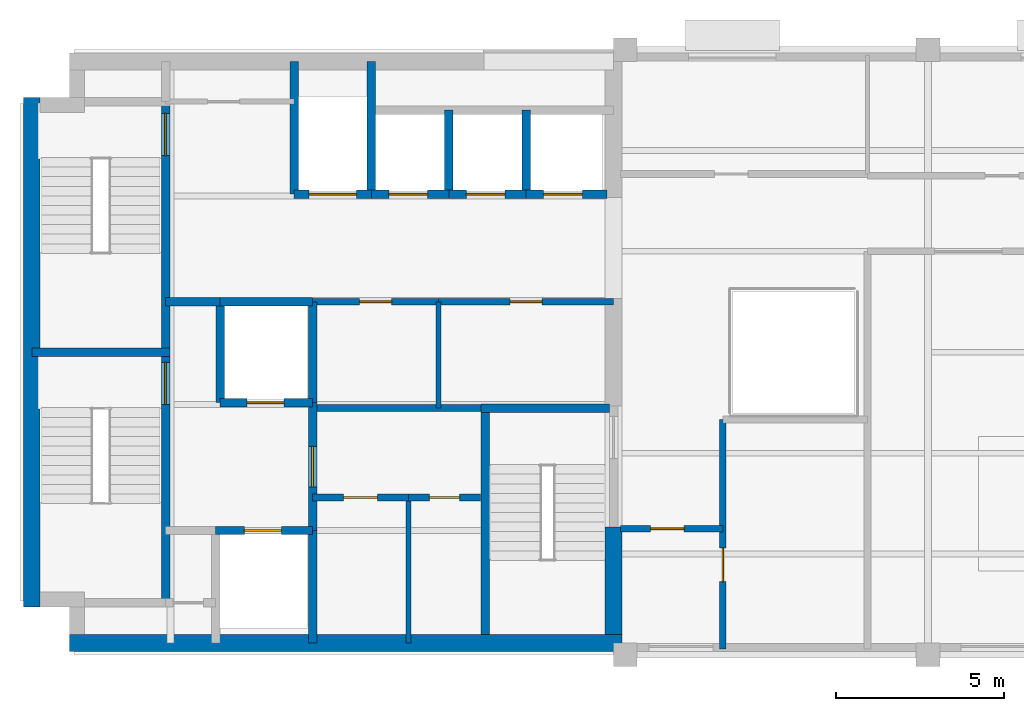
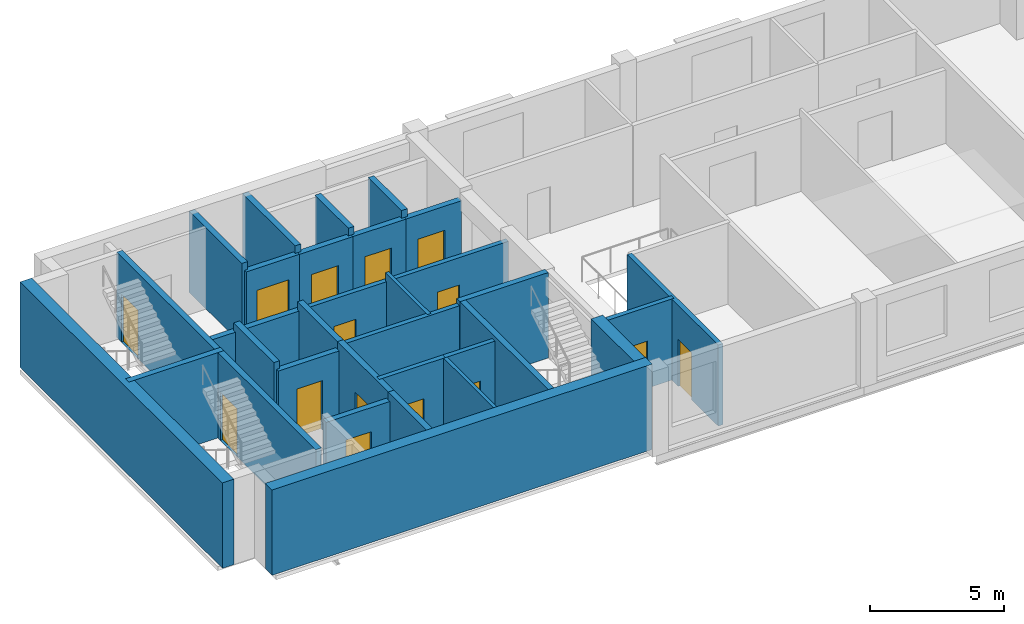
# One storey, part 2 of 5: 33 walls, 15 doors, 15 openings.
"""IFC4 building model written with IfcOpenShell, lengths in metres."""

from ifc_helpers import new_model, si_unit, direction, frame, frame_2d, origin, place, context, subcontext, project, spatial, rectangle, extrude, material, layer, layer_set, type_object, element, fill, save


model = new_model("IFC4")

# Units and contexts
model_context = context("Model", 3, precision=1e-05, world=origin(), true_north=direction((0.0, 1.0)))
body_context = subcontext(model_context, "Body", "Model", "MODEL_VIEW")
ifc_project = project(units=[si_unit("LENGTHUNIT", "METRE"), si_unit("AREAUNIT", "SQUARE_METRE"), si_unit("VOLUMEUNIT", "CUBIC_METRE"), si_unit("PLANEANGLEUNIT", "RADIAN"), si_unit("MASSUNIT", "GRAM", prefix="KILO")], contexts=[model_context])

# Site, building, storey
site_placement = place(None, origin())
site = spatial("IfcSite", under=ifc_project, at=site_placement, CompositionType="ELEMENT")
building_placement = place(site_placement, origin())
building = spatial("IfcBuilding", under=site, at=building_placement, Name="Mawjdan Bourse Tower", CompositionType="ELEMENT")
storey_placement = place(building_placement, frame((0.0, 0.0, 301.5)))
storey = spatial("IfcBuildingStorey", under=building, at=storey_placement, Name="L74", CompositionType="ELEMENT", Elevation=301.5)

# Wall, opening, door
ifc_material_1 = material(Name="Gypsum Fireboard Assembly")
ifc_layer_1 = layer(ifc_material_1, 0.199951171875)
ifc_layer_set_1 = layer_set([ifc_layer_1], Name="Gypsum Fireboard Assembly")
wall_type_1 = type_object("IfcWallType", Name="WL-CMP-200", PredefinedType="PARTITIONING", material=ifc_layer_set_1)
wall_1_placement = place(storey_placement, frame((14.699951171875, 7.679931640625, 0.0), z_axis=(0.0, 0.0, 1.0), x_axis=(1.0, 0.0, 0.0)))
wall_1 = element("IfcWall", 1, at=wall_1_placement, inside=storey, type_object=wall_type_1, Name="L74 Archive & Records Office North Wall", PredefinedType="PARTITIONING", context=body_context, shape_type="SweptSolid", body=[
    extrude(rectangle(XDim=2.85009765625, YDim=0.199951171875, at=frame_2d((1.425048828125, 0.0))), origin(), (0.0, 0.0, 1.0), 3.705078125),
])
opening_1_placement = place(wall_1_placement, frame((0.925048828125, 0.0, 0.0)))
opening_1 = element("IfcOpeningElement", 2, at=opening_1_placement, cuts=wall_1, Name="Opening D-L74-13", PredefinedType="OPENING", context=body_context, shape_type="SweptSolid", body=[
    extrude(rectangle(XDim=1.0, YDim=2.14990234375, at=frame_2d((0.5, 1.074951171875))), frame((0.0, 0.10986328125, 0.0), z_axis=(0.0, -1.0, 0.0), x_axis=(1.0, 0.0, 0.0)), (0.0, 0.0, 1.0), 0.219970703125),
])
ifc_material_2 = material(Name="Hardwood Acoustic Leaf", Category="wood")
door_type_1 = type_object("IfcDoorType", Name="DR-OFC-1000", OperationType="NOTDEFINED", PredefinedType="DOOR", material=ifc_material_2)
door_1_placement = place(opening_1_placement, origin())
door_1 = element("IfcDoor", 3, at=door_1_placement, inside=storey, type_object=door_type_1, Name="L74 Archive & Records Office Door D-L74-13", OperationType="SINGLE_SWING_LEFT", OverallHeight=2.14990234375, OverallWidth=1.0, PredefinedType="DOOR", context=body_context, shape_type="SweptSolid", body=[
    extrude(rectangle(XDim=1.0, YDim=2.14990234375, at=frame_2d((0.5, 1.074951171875))), frame((0.0, 0.02490234375, 0.0), z_axis=(0.0, -1.0, 0.0), x_axis=(1.0, 0.0, 0.0)), (0.0, 0.0, 1.0), 0.050048828125),
])
fill(opening_1, door_1)

wall_2_placement = place(storey_placement, frame((17.550048828125, 7.679931640625, 0.0), z_axis=(0.0, 0.0, 1.0), x_axis=(1.0, 0.0, 0.0)))
wall_2 = element("IfcWall", 4, at=wall_2_placement, inside=storey, type_object=wall_type_1, Name="L74 IT & Fiber Patch Room North Wall", PredefinedType="PARTITIONING", context=body_context, shape_type="SweptSolid", body=[
    extrude(rectangle(XDim=2.14990234375, YDim=0.199951171875, at=frame_2d((1.074951171875, 0.0))), origin(), (0.0, 0.0, 1.0), 3.705078125),
])
opening_2_placement = place(wall_2_placement, frame((0.625, 0.0, 0.0)))
opening_2 = element("IfcOpeningElement", 5, at=opening_2_placement, cuts=wall_2, Name="Opening D-L74-14", PredefinedType="OPENING", context=body_context, shape_type="SweptSolid", body=[
    extrude(rectangle(XDim=0.89990234375, YDim=2.10009765625, at=frame_2d((0.449951171875, 1.050048828125))), frame((0.0, 0.10986328125, 0.0), z_axis=(0.0, -1.0, 0.0), x_axis=(1.0, 0.0, 0.0)), (0.0, 0.0, 1.0), 0.219970703125),
])
ifc_material_3 = material(Name="Fire-Rated Steel Access Leaf", Category="steel")
door_type_2 = type_object("IfcDoorType", Name="FD-RSR-0900", OperationType="NOTDEFINED", PredefinedType="TRAPDOOR", material=ifc_material_3)
door_2_placement = place(opening_2_placement, origin())
door_2 = element("IfcDoor", 6, at=door_2_placement, inside=storey, type_object=door_type_2, Name="L74 IT & Fiber Patch Room Door D-L74-14", OperationType="SINGLE_SWING_RIGHT", OverallHeight=2.10009765625, OverallWidth=0.89990234375, PredefinedType="TRAPDOOR", context=body_context, shape_type="SweptSolid", body=[
    extrude(rectangle(XDim=0.89990234375, YDim=2.10009765625, at=frame_2d((0.449951171875, 1.050048828125))), frame((0.0, 0.02490234375, 0.0), z_axis=(0.0, -1.0, 0.0), x_axis=(1.0, 0.0, 0.0)), (0.0, 0.0, 1.0), 0.050048828125),
])
fill(opening_2, door_2)

# Wall
wall_3_placement = place(storey_placement, frame((14.824951171875, 10.340087890625, 0.0), z_axis=(0.0, 0.0, 1.0), x_axis=(1.0, 0.0, 0.0)))
element("IfcWall", 7, at=wall_3_placement, inside=storey, type_object=wall_type_1, Name="L74 Core Restroom Suite South Wall", PredefinedType="PARTITIONING", context=body_context, shape_type="SweptSolid", body=[
    extrude(rectangle(XDim=4.880126953125, YDim=0.199951171875, at=frame_2d((2.43994140625, 0.0))), origin(), (0.0, 0.0, 1.0), 3.705078125),
])

# Wall, opening, door
wall_4_placement = place(storey_placement, frame((14.699951171875, 13.5, 0.0), z_axis=(0.0, 0.0, 1.0), x_axis=(1.0, 0.0, 0.0)))
wall_4 = element("IfcWall", 8, at=wall_4_placement, inside=storey, type_object=wall_type_1, Name="L74 Accessible WC North Wall", PredefinedType="PARTITIONING", context=body_context, shape_type="SweptSolid", body=[
    extrude(rectangle(XDim=3.75, YDim=0.199951171875, at=frame_2d((1.875, 0.0))), origin(), (0.0, 0.0, 1.0), 3.35400390625),
])
opening_3_placement = place(wall_4_placement, frame((1.39990234375, 0.0, 0.0)))
opening_3 = element("IfcOpeningElement", 9, at=opening_3_placement, cuts=wall_4, Name="Opening D-L74-15", PredefinedType="OPENING", context=body_context, shape_type="SweptSolid", body=[
    extrude(rectangle(XDim=0.949951171875, YDim=2.10009765625, at=frame_2d((0.47509765625, 1.050048828125))), frame((0.0, 0.10986328125, 0.0), z_axis=(0.0, -1.0, 0.0), x_axis=(1.0, 0.0, 0.0)), (0.0, 0.0, 1.0), 0.219970703125),
])
ifc_material_4 = material(Name="Moisture-Resistant Laminate Timber", Category="wood")
door_type_3 = type_object("IfcDoorType", Name="DR-WET-0950", OperationType="NOTDEFINED", PredefinedType="DOOR", material=ifc_material_4)
door_3_placement = place(opening_3_placement, origin())
door_3 = element("IfcDoor", 10, at=door_3_placement, inside=storey, type_object=door_type_3, Name="L74 Accessible WC Door D-L74-15", OperationType="SINGLE_SWING_LEFT", OverallHeight=2.10009765625, OverallWidth=0.949951171875, PredefinedType="DOOR", context=body_context, shape_type="SweptSolid", body=[
    extrude(rectangle(XDim=0.949951171875, YDim=2.10009765625, at=frame_2d((0.47509765625, 1.050048828125))), frame((0.0, 0.02490234375, 0.0), z_axis=(0.0, -1.0, 0.0), x_axis=(1.0, 0.0, 0.0)), (0.0, 0.0, 1.0), 0.050048828125),
])
fill(opening_3, door_3)

wall_5_placement = place(storey_placement, frame((18.449951171875, 13.5, 0.0), z_axis=(0.0, 0.0, 1.0), x_axis=(1.0, 0.0, 0.0)))
wall_5 = element("IfcWall", 11, at=wall_5_placement, inside=storey, type_object=wall_type_1, Name="L74 Unisex Restroom Suite North Wall", PredefinedType="PARTITIONING", context=body_context, shape_type="SweptSolid", body=[
    extrude(rectangle(XDim=5.199951171875, YDim=0.199951171875, at=frame_2d((2.60009765625, 0.0))), origin(), (0.0, 0.0, 1.0), 3.35400390625),
])
opening_4_placement = place(wall_5_placement, frame((2.125, 0.0, 0.0)))
opening_4 = element("IfcOpeningElement", 12, at=opening_4_placement, cuts=wall_5, Name="Opening D-L74-16", PredefinedType="OPENING", context=body_context, shape_type="SweptSolid", body=[
    extrude(rectangle(XDim=0.949951171875, YDim=2.10009765625, at=frame_2d((0.47509765625, 1.050048828125))), frame((0.0, 0.10986328125, 0.0), z_axis=(0.0, -1.0, 0.0), x_axis=(1.0, 0.0, 0.0)), (0.0, 0.0, 1.0), 0.219970703125),
])
door_4_placement = place(opening_4_placement, origin())
door_4 = element("IfcDoor", 13, at=door_4_placement, inside=storey, type_object=door_type_3, Name="L74 Unisex Restroom Suite Door D-L74-16", OperationType="SINGLE_SWING_RIGHT", OverallHeight=2.10009765625, OverallWidth=0.949951171875, PredefinedType="DOOR", context=body_context, shape_type="SweptSolid", body=[
    extrude(rectangle(XDim=0.949951171875, YDim=2.10009765625, at=frame_2d((0.47509765625, 1.050048828125))), frame((0.0, 0.02490234375, 0.0), z_axis=(0.0, -1.0, 0.0), x_axis=(1.0, 0.0, 0.0)), (0.0, 0.0, 1.0), 0.050048828125),
])
fill(opening_4, door_4)

wall_6_placement = place(storey_placement, frame((23.85009765625, 6.75, 0.0), z_axis=(0.0, 0.0, 1.0), x_axis=(1.0, 0.0, 0.0)))
wall_6 = element("IfcWall", 14, at=wall_6_placement, inside=storey, type_object=wall_type_1, Name="L74 Summit SW Study North Wall", PredefinedType="PARTITIONING", context=body_context, shape_type="SweptSolid", body=[
    extrude(rectangle(XDim=3.0498046875, YDim=0.199951171875, at=frame_2d((1.52490234375, 0.0))), origin(), (0.0, 0.0, 1.0), 3.705078125),
])
opening_5_placement = place(wall_6_placement, frame((0.89990234375, 0.0, 0.0)))
opening_5 = element("IfcOpeningElement", 15, at=opening_5_placement, cuts=wall_6, Name="Opening D-L74-18", PredefinedType="OPENING", context=body_context, shape_type="SweptSolid", body=[
    extrude(rectangle(XDim=1.0, YDim=2.14990234375, at=frame_2d((0.5, 1.074951171875))), frame((0.0, 0.10986328125, 0.0), z_axis=(0.0, -1.0, 0.0), x_axis=(1.0, 0.0, 0.0)), (0.0, 0.0, 1.0), 0.219970703125),
])
door_5_placement = place(opening_5_placement, origin())
door_5 = element("IfcDoor", 16, at=door_5_placement, inside=storey, type_object=door_type_1, Name="L74 Summit SW Study Door D-L74-18", OperationType="SINGLE_SWING_RIGHT", OverallHeight=2.14990234375, OverallWidth=1.0, PredefinedType="DOOR", context=body_context, shape_type="SweptSolid", body=[
    extrude(rectangle(XDim=1.0, YDim=2.14990234375, at=frame_2d((0.5, 1.074951171875))), frame((0.0, 0.02490234375, 0.0), z_axis=(0.0, -1.0, 0.0), x_axis=(1.0, 0.0, 0.0)), (0.0, 0.0, 1.0), 0.050048828125),
])
fill(opening_5, door_5)

wall_7_placement = place(storey_placement, frame((26.89990234375, 3.179931640625, 0.0), z_axis=(0.0, 0.0, 1.0), x_axis=(0.0, 1.0, 0.0)))
wall_7 = element("IfcWall", 17, at=wall_7_placement, inside=storey, type_object=wall_type_1, Name="L74 Summit South Atrium Suite West Wall", PredefinedType="PARTITIONING", context=body_context, shape_type="SweptSolid", body=[
    extrude(rectangle(XDim=6.820068359375, YDim=0.199951171875, at=frame_2d((3.41015625, 0.0))), origin(), (0.0, 0.0, 1.0), 3.705078125),
])
opening_6_placement = place(wall_7_placement, frame((2.0, 0.0, 0.0)))
opening_6 = element("IfcOpeningElement", 18, at=opening_6_placement, cuts=wall_7, Name="Opening D-L74-19", PredefinedType="OPENING", context=body_context, shape_type="SweptSolid", body=[
    extrude(rectangle(XDim=1.0, YDim=2.14990234375, at=frame_2d((0.5, 1.074951171875))), frame((0.0, 0.10986328125, 0.0), z_axis=(0.0, -1.0, 0.0), x_axis=(1.0, 0.0, 0.0)), (0.0, 0.0, 1.0), 0.219970703125),
])
door_6_placement = place(opening_6_placement, origin())
door_6 = element("IfcDoor", 19, at=door_6_placement, inside=storey, type_object=door_type_1, Name="L74 Summit South Atrium Suite Door D-L74-19", OperationType="SINGLE_SWING_LEFT", OverallHeight=2.14990234375, OverallWidth=1.0, PredefinedType="DOOR", context=body_context, shape_type="SweptSolid", body=[
    extrude(rectangle(XDim=1.0, YDim=2.14990234375, at=frame_2d((0.5, 1.074951171875))), frame((0.0, 0.02490234375, 0.0), z_axis=(0.0, -1.0, 0.0), x_axis=(1.0, 0.0, 0.0)), (0.0, 0.0, 1.0), 0.050048828125),
])
fill(opening_6, door_6)

# Walls
ifc_material_5 = material(Name="Concrete C60/75", Category="concrete")
ifc_layer_2 = layer(ifc_material_5, 0.5)
ifc_layer_set_2 = layer_set([ifc_layer_2], Name="Concrete C60/75")
wall_type_2 = type_object("IfcWallType", Name="WL-CORE-500", PredefinedType="SHEAR", material=ifc_layer_set_2)
wall_8_placement = place(storey_placement, frame((7.47509765625, 3.35009765625, 0.0), z_axis=(0.0, 0.0, 1.0), x_axis=(1.0, 0.0, 0.0)))
element("IfcWall", 20, at=wall_8_placement, inside=storey, type_object=wall_type_2, Name="L74 Rear Core Shear Wall S", PredefinedType="SHEAR", context=body_context, shape_type="SweptSolid", body=[
    extrude(rectangle(XDim=16.4248046875, YDim=0.5, at=frame_2d((8.21240234375, 0.0))), origin(), (0.0, 0.0, 1.0), 3.89990234375),
])
wall_9_placement = place(storey_placement, frame((6.35009765625, 4.425048828125, 0.0), z_axis=(0.0, 0.0, 1.0), x_axis=(0.0, 1.0, 0.0)))
element("IfcWall", 21, at=wall_9_placement, inside=storey, type_object=wall_type_2, Name="L74 Rear Core Shear Wall W", PredefinedType="SHEAR", context=body_context, shape_type="SweptSolid", body=[
    extrude(rectangle(XDim=15.14990234375, YDim=0.5, at=frame_2d((7.574951171875, 0.0))), origin(), (0.0, 0.0, 1.0), 3.89990234375),
])
wall_10_placement = place(storey_placement, frame((23.64990234375, 3.60009765625, 0.0), z_axis=(0.0, 0.0, 1.0), x_axis=(0.0, 1.0, 0.0)))
element("IfcWall", 22, at=wall_10_placement, inside=storey, type_object=wall_type_2, Name="L74 Rear Core Shear Wall E1", PredefinedType="SHEAR", context=body_context, shape_type="SweptSolid", body=[
    extrude(rectangle(XDim=3.199951171875, YDim=0.5, at=frame_2d((1.60009765625, 0.0))), origin(), (0.0, 0.0, 1.0), 3.89990234375),
])
ifc_material_6 = material(Name="Gypsum Acoustic Partition")
ifc_layer_3 = layer(ifc_material_6, 0.14990234375)
ifc_layer_set_3 = layer_set([ifc_layer_3], Name="Gypsum Acoustic Partition")
wall_type_3 = type_object("IfcWallType", Name="WL-PRT-150", PredefinedType="PARTITIONING", material=ifc_layer_set_3)
wall_11_placement = place(storey_placement, frame((17.550048828125, 3.35009765625, 0.0), z_axis=(0.0, 0.0, 1.0), x_axis=(0.0, 1.0, 0.0)))
element("IfcWall", 23, at=wall_11_placement, inside=storey, type_object=wall_type_3, Name="L74 IT & Fiber Patch Room Core Split Wall", PredefinedType="PARTITIONING", context=body_context, shape_type="SweptSolid", body=[
    extrude(rectangle(XDim=4.329833984375, YDim=0.14990234375, at=frame_2d((2.1650390625, 0.0))), origin(), (0.0, 0.0, 1.0), 3.705078125),
])
wall_12_placement = place(storey_placement, frame((18.449951171875, 10.340087890625, 0.0), z_axis=(0.0, 0.0, 1.0), x_axis=(0.0, 1.0, 0.0)))
element("IfcWall", 24, at=wall_12_placement, inside=storey, type_object=wall_type_3, Name="L74 Unisex Restroom Suite Split Wall", PredefinedType="PARTITIONING", context=body_context, shape_type="SweptSolid", body=[
    extrude(rectangle(XDim=3.159912109375, YDim=0.14990234375, at=frame_2d((1.580078125, 0.0))), origin(), (0.0, 0.0, 1.0), 3.705078125),
])

# Wall, opening, door
ifc_material_7 = material(Name="Concrete C50/60", Category="concrete")
ifc_layer_4 = layer(ifc_material_7, 0.25)
ifc_layer_set_4 = layer_set([ifc_layer_4], Name="Concrete C50/60")
wall_type_4 = type_object("IfcWallType", Name="WL-SHFT-250", PredefinedType="PARTITIONING", material=ifc_layer_set_4)
wall_13_placement = place(storey_placement, frame((11.820068359375, 6.699951171875, 0.0), z_axis=(0.0, 0.0, 1.0), x_axis=(1.0, 0.0, 0.0)))
wall_13 = element("IfcWall", 25, at=wall_13_placement, inside=storey, type_object=wall_type_4, Name="L74 FFL-01 Front Shaft Wall", PredefinedType="PARTITIONING", context=body_context, shape_type="SweptSolid", body=[
    extrude(rectangle(XDim=2.8798828125, YDim=0.25, at=frame_2d((1.43994140625, 0.0))), origin(), (0.0, 0.0, 1.0), 3.35400390625),
])
opening_7_placement = place(wall_13_placement, frame((0.85009765625, 0.0, 0.0)))
opening_7 = element("IfcOpeningElement", 26, at=opening_7_placement, cuts=wall_13, Name="Opening LD-L74-05", PredefinedType="OPENING", context=body_context, shape_type="SweptSolid", body=[
    extrude(rectangle(XDim=1.10009765625, YDim=2.25, at=frame_2d((0.550048828125, 1.125))), frame((0.0, 0.135009765625, 0.0), z_axis=(0.0, -1.0, 0.0), x_axis=(1.0, 0.0, 0.0)), (0.0, 0.0, 1.0), 0.27001953125),
])
ifc_material_8 = material(Name="Brushed Stainless Steel", Category="steel")
door_type_4 = type_object("IfcDoorType", Name="LD-FFL-1100", OperationType="DOUBLE_DOOR_SLIDING", PredefinedType="DOOR", material=ifc_material_8)
door_7_placement = place(opening_7_placement, origin())
door_7 = element("IfcDoor", 27, at=door_7_placement, inside=storey, type_object=door_type_4, Name="L74 Firefighting Lift FFL-01 Landing Door LD-L74-05", OperationType="DOUBLE_DOOR_SLIDING", OverallHeight=2.25, OverallWidth=1.10009765625, PredefinedType="DOOR", context=body_context, shape_type="SweptSolid", body=[
    extrude(rectangle(XDim=1.10009765625, YDim=2.25, at=frame_2d((0.550048828125, 1.125))), frame((0.0, 0.02490234375, 0.0), z_axis=(0.0, -1.0, 0.0), x_axis=(1.0, 0.0, 0.0)), (0.0, 0.0, 1.0), 0.050048828125),
])
fill(opening_7, door_7)

# Wall
wall_14_placement = place(storey_placement, frame((14.699951171875, 3.35009765625, 0.0), z_axis=(0.0, 0.0, 1.0), x_axis=(0.0, 1.0, 0.0)))
element("IfcWall", 28, at=wall_14_placement, inside=storey, type_object=wall_type_4, Name="L74 FFL-01 East Shaft Wall", PredefinedType="PARTITIONING", context=body_context, shape_type="SweptSolid", body=[
    extrude(rectangle(XDim=3.349853515625, YDim=0.25, at=frame_2d((1.6748046875, 0.0))), origin(), (0.0, 0.0, 1.0), 3.705078125),
])

# Wall, opening, door
wall_15_placement = place(storey_placement, frame((11.949951171875, 10.5, 0.0), z_axis=(0.0, 0.0, 1.0), x_axis=(1.0, 0.0, 0.0)))
wall_15 = element("IfcWall", 29, at=wall_15_placement, inside=storey, type_object=wall_type_4, Name="L74 FFL-02 Front Shaft Wall", PredefinedType="PARTITIONING", context=body_context, shape_type="SweptSolid", body=[
    extrude(rectangle(XDim=2.75, YDim=0.25, at=frame_2d((1.375, 0.0))), origin(), (0.0, 0.0, 1.0), 3.35400390625),
])
opening_8_placement = place(wall_15_placement, frame((0.800048828125, 0.0, 0.0)))
opening_8 = element("IfcOpeningElement", 30, at=opening_8_placement, cuts=wall_15, Name="Opening LD-L74-06", PredefinedType="OPENING", context=body_context, shape_type="SweptSolid", body=[
    extrude(rectangle(XDim=1.10009765625, YDim=2.25, at=frame_2d((0.550048828125, 1.125))), frame((0.0, 0.135009765625, 0.0), z_axis=(0.0, -1.0, 0.0), x_axis=(1.0, 0.0, 0.0)), (0.0, 0.0, 1.0), 0.27001953125),
])
door_8_placement = place(opening_8_placement, origin())
door_8 = element("IfcDoor", 31, at=door_8_placement, inside=storey, type_object=door_type_4, Name="L74 Firefighting Lift FFL-02 Landing Door LD-L74-06", OperationType="DOUBLE_DOOR_SLIDING", OverallHeight=2.25, OverallWidth=1.10009765625, PredefinedType="DOOR", context=body_context, shape_type="SweptSolid", body=[
    extrude(rectangle(XDim=1.10009765625, YDim=2.25, at=frame_2d((0.550048828125, 1.125))), frame((0.0, 0.02490234375, 0.0), z_axis=(0.0, -1.0, 0.0), x_axis=(1.0, 0.0, 0.0)), (0.0, 0.0, 1.0), 0.050048828125),
])
fill(opening_8, door_8)

# Walls
wall_16_placement = place(storey_placement, frame((11.949951171875, 10.5, 0.0), z_axis=(0.0, 0.0, 1.0), x_axis=(0.0, 1.0, 0.0)))
element("IfcWall", 32, at=wall_16_placement, inside=storey, type_object=wall_type_4, Name="L74 FFL-02 West Shaft Wall", PredefinedType="PARTITIONING", context=body_context, shape_type="SweptSolid", body=[
    extrude(rectangle(XDim=3.0, YDim=0.25, at=frame_2d((1.5, 0.0))), origin(), (0.0, 0.0, 1.0), 3.705078125),
])
wall_17_placement = place(storey_placement, frame((11.949951171875, 13.5, 0.0), z_axis=(0.0, 0.0, 1.0), x_axis=(1.0, 0.0, 0.0)))
element("IfcWall", 33, at=wall_17_placement, inside=storey, type_object=wall_type_4, Name="L74 FFL-02 North Shaft Wall", PredefinedType="PARTITIONING", context=body_context, shape_type="SweptSolid", body=[
    extrude(rectangle(XDim=2.75, YDim=0.25, at=frame_2d((1.375, 0.0))), origin(), (0.0, 0.0, 1.0), 3.35400390625),
])
wall_18_placement = place(storey_placement, frame((14.699951171875, 10.5, 0.0), z_axis=(0.0, 0.0, 1.0), x_axis=(0.0, 1.0, 0.0)))
element("IfcWall", 34, at=wall_18_placement, inside=storey, type_object=wall_type_4, Name="L74 FFL-02 East Shaft Wall", PredefinedType="PARTITIONING", context=body_context, shape_type="SweptSolid", body=[
    extrude(rectangle(XDim=3.0, YDim=0.25, at=frame_2d((1.5, 0.0))), origin(), (0.0, 0.0, 1.0), 3.705078125),
])

# Wall, opening, door
wall_19_placement = place(storey_placement, frame((14.699951171875, 6.699951171875, 0.0), z_axis=(0.0, 0.0, 1.0), x_axis=(0.0, 1.0, 0.0)))
wall_19 = element("IfcWall", 35, at=wall_19_placement, inside=storey, type_object=wall_type_4, Name="L74 Firefighting Lobby East Compartment Wall", PredefinedType="PARTITIONING", context=body_context, shape_type="SweptSolid", body=[
    extrude(rectangle(XDim=3.800048828125, YDim=0.25, at=frame_2d((1.89990234375, 0.0))), origin(), (0.0, 0.0, 1.0), 3.705078125),
])
opening_9_placement = place(wall_19_placement, frame((1.300048828125, 0.0, 0.0)))
opening_9 = element("IfcOpeningElement", 36, at=opening_9_placement, cuts=wall_19, Name="Opening FD-L74-07", PredefinedType="OPENING", context=body_context, shape_type="SweptSolid", body=[
    extrude(rectangle(XDim=1.199951171875, YDim=2.199951171875, at=frame_2d((0.60009765625, 1.10009765625))), frame((0.0, 0.135009765625, 0.0), z_axis=(0.0, -1.0, 0.0), x_axis=(1.0, 0.0, 0.0)), (0.0, 0.0, 1.0), 0.27001953125),
])
ifc_material_9 = material(Name="Fire-Rated Steel Leaf", Category="steel")
door_type_5 = type_object("IfcDoorType", Name="FD-FFL-1200", OperationType="NOTDEFINED", PredefinedType="DOOR", material=ifc_material_9)
door_9_placement = place(opening_9_placement, origin())
door_9 = element("IfcDoor", 37, at=door_9_placement, inside=storey, type_object=door_type_5, Name="L74 Firefighting Lobby East Smoke Door FD-L74-07", OperationType="SINGLE_SWING_LEFT", OverallHeight=2.199951171875, OverallWidth=1.199951171875, PredefinedType="DOOR", context=body_context, shape_type="SweptSolid", body=[
    extrude(rectangle(XDim=1.199951171875, YDim=2.199951171875, at=frame_2d((0.60009765625, 1.10009765625))), frame((0.0, 0.02490234375, 0.0), z_axis=(0.0, -1.0, 0.0), x_axis=(1.0, 0.0, 0.0)), (0.0, 0.0, 1.0), 0.050048828125),
])
fill(opening_9, door_9)

# Wall
wall_20_placement = place(storey_placement, frame((10.330078125, 13.5, 0.0), z_axis=(0.0, 0.0, 1.0), x_axis=(1.0, 0.0, 0.0)))
element("IfcWall", 38, at=wall_20_placement, inside=storey, type_object=wall_type_4, Name="L74 Firefighting Lobby North Compartment Wall", PredefinedType="PARTITIONING", context=body_context, shape_type="SweptSolid", body=[
    extrude(rectangle(XDim=1.619873046875, YDim=0.25, at=frame_2d((0.81005859375, 0.0))), origin(), (0.0, 0.0, 1.0), 3.35400390625),
])

# Wall, opening, door
wall_21_placement = place(storey_placement, frame((14.14990234375, 16.699951171875, 0.0), z_axis=(0.0, 0.0, 1.0), x_axis=(1.0, 0.0, 0.0)))
wall_21 = element("IfcWall", 39, at=wall_21_placement, inside=storey, type_object=wall_type_4, Name="L74 SVL-01 Front Shaft Wall", PredefinedType="PARTITIONING", context=body_context, shape_type="SweptSolid", body=[
    extrude(rectangle(XDim=2.300048828125, YDim=0.25, at=frame_2d((1.14990234375, 0.0))), origin(), (0.0, 0.0, 1.0), 3.35400390625),
])
opening_10_placement = place(wall_21_placement, frame((0.449951171875, 0.0, 0.0)))
opening_10 = element("IfcOpeningElement", 40, at=opening_10_placement, cuts=wall_21, Name="Opening LD-L74-09", PredefinedType="OPENING", context=body_context, shape_type="SweptSolid", body=[
    extrude(rectangle(XDim=1.39990234375, YDim=2.35009765625, at=frame_2d((0.699951171875, 1.175048828125))), frame((0.0, 0.135009765625, 0.0), z_axis=(0.0, -1.0, 0.0), x_axis=(1.0, 0.0, 0.0)), (0.0, 0.0, 1.0), 0.27001953125),
])
ifc_material_10 = material(Name="Heavy-Duty Stainless Steel", Category="steel")
door_type_6 = type_object("IfcDoorType", Name="LD-SRV-1400", OperationType="DOUBLE_DOOR_SLIDING", PredefinedType="DOOR", material=ifc_material_10)
door_10_placement = place(opening_10_placement, origin())
door_10 = element("IfcDoor", 41, at=door_10_placement, inside=storey, type_object=door_type_6, Name="L74 Service Lift SVL-01 Landing Door LD-L74-09", OperationType="DOUBLE_DOOR_SLIDING", OverallHeight=2.35009765625, OverallWidth=1.39990234375, PredefinedType="DOOR", context=body_context, shape_type="SweptSolid", body=[
    extrude(rectangle(XDim=1.39990234375, YDim=2.35009765625, at=frame_2d((0.699951171875, 1.175048828125))), frame((0.0, 0.02490234375, 0.0), z_axis=(0.0, -1.0, 0.0), x_axis=(1.0, 0.0, 0.0)), (0.0, 0.0, 1.0), 0.050048828125),
])
fill(opening_10, door_10)

# Walls
for number, where, z_axis, x_axis, name in (
    (42, (14.14990234375, 16.699951171875, 0.0), (0.0, 0.0, 1.0), (0.0, 1.0, 0.0), "L74 SVL-01 West Shaft Wall"),
    (43, (16.449951171875, 16.699951171875, 0.0), (0.0, 0.0, 1.0), (0.0, 1.0, 0.0), "L74 SVL-01 East Shaft Wall"),
):
    element("IfcWall", number, at=place(storey_placement, frame(where, z_axis=z_axis, x_axis=x_axis)), inside=storey, type_object=wall_type_4, Name=name, PredefinedType="PARTITIONING", context=body_context, shape_type="SweptSolid", body=[
        extrude(rectangle(XDim=3.949951171875, YDim=0.25, at=frame_2d((1.97509765625, 0.0))), origin(), (0.0, 0.0, 1.0), 3.705078125),
    ])

# Wall, opening, door
wall_22_placement = place(storey_placement, frame((16.449951171875, 16.699951171875, 0.0), z_axis=(0.0, 0.0, 1.0), x_axis=(1.0, 0.0, 0.0)))
wall_22 = element("IfcWall", 44, at=wall_22_placement, inside=storey, type_object=wall_type_4, Name="L74 PH-01 Front Wall", PredefinedType="PARTITIONING", context=body_context, shape_type="SweptSolid", body=[
    extrude(rectangle(XDim=2.300048828125, YDim=0.25, at=frame_2d((1.14990234375, 0.0))), origin(), (0.0, 0.0, 1.0), 3.35400390625),
])
opening_11_placement = place(wall_22_placement, frame((0.52001953125, 0.0, 0.0)))
opening_11 = element("IfcOpeningElement", 45, at=opening_11_placement, cuts=wall_22, Name="Opening LD-L74-10", PredefinedType="OPENING", context=body_context, shape_type="SweptSolid", body=[
    extrude(rectangle(XDim=1.14990234375, YDim=2.25, at=frame_2d((0.574951171875, 1.125))), frame((0.0, 0.135009765625, 0.0), z_axis=(0.0, -1.0, 0.0), x_axis=(1.0, 0.0, 0.0)), (0.0, 0.0, 1.0), 0.27001953125),
])
door_type_7 = type_object("IfcDoorType", Name="LD-PAS-1150", OperationType="DOUBLE_DOOR_SLIDING", PredefinedType="DOOR", material=ifc_material_8)
door_11_placement = place(opening_11_placement, origin())
door_11 = element("IfcDoor", 46, at=door_11_placement, inside=storey, type_object=door_type_7, Name="L74 Lift PH-01 Landing Door LD-L74-10", OperationType="DOUBLE_DOOR_SLIDING", OverallHeight=2.25, OverallWidth=1.14990234375, PredefinedType="DOOR", context=body_context, shape_type="SweptSolid", body=[
    extrude(rectangle(XDim=1.14990234375, YDim=2.25, at=frame_2d((0.574951171875, 1.125))), frame((0.0, 0.02490234375, 0.0), z_axis=(0.0, -1.0, 0.0), x_axis=(1.0, 0.0, 0.0)), (0.0, 0.0, 1.0), 0.050048828125),
])
fill(opening_11, door_11)

# Wall
wall_23_placement = place(storey_placement, frame((18.75, 16.699951171875, 0.0), z_axis=(0.0, 0.0, 1.0), x_axis=(0.0, 1.0, 0.0)))
element("IfcWall", 47, at=wall_23_placement, inside=storey, type_object=wall_type_4, Name="L74 PH-01 Divider Wall", PredefinedType="PARTITIONING", context=body_context, shape_type="SweptSolid", body=[
    extrude(rectangle(XDim=2.5, YDim=0.25, at=frame_2d((1.25, 0.0))), origin(), (0.0, 0.0, 1.0), 3.705078125),
])

# Wall, opening, door
wall_24_placement = place(storey_placement, frame((18.75, 16.699951171875, 0.0), z_axis=(0.0, 0.0, 1.0), x_axis=(1.0, 0.0, 0.0)))
wall_24 = element("IfcWall", 48, at=wall_24_placement, inside=storey, type_object=wall_type_4, Name="L74 PH-02 Front Wall", PredefinedType="PARTITIONING", context=body_context, shape_type="SweptSolid", body=[
    extrude(rectangle(XDim=2.300048828125, YDim=0.25, at=frame_2d((1.14990234375, 0.0))), origin(), (0.0, 0.0, 1.0), 3.35400390625),
])
opening_12_placement = place(wall_24_placement, frame((0.52001953125, 0.0, 0.0)))
opening_12 = element("IfcOpeningElement", 49, at=opening_12_placement, cuts=wall_24, Name="Opening LD-L74-11", PredefinedType="OPENING", context=body_context, shape_type="SweptSolid", body=[
    extrude(rectangle(XDim=1.14990234375, YDim=2.25, at=frame_2d((0.574951171875, 1.125))), frame((0.0, 0.135009765625, 0.0), z_axis=(0.0, -1.0, 0.0), x_axis=(1.0, 0.0, 0.0)), (0.0, 0.0, 1.0), 0.27001953125),
])
door_12_placement = place(opening_12_placement, origin())
door_12 = element("IfcDoor", 50, at=door_12_placement, inside=storey, type_object=door_type_7, Name="L74 Lift PH-02 Landing Door LD-L74-11", OperationType="DOUBLE_DOOR_SLIDING", OverallHeight=2.25, OverallWidth=1.14990234375, PredefinedType="DOOR", context=body_context, shape_type="SweptSolid", body=[
    extrude(rectangle(XDim=1.14990234375, YDim=2.25, at=frame_2d((0.574951171875, 1.125))), frame((0.0, 0.02490234375, 0.0), z_axis=(0.0, -1.0, 0.0), x_axis=(1.0, 0.0, 0.0)), (0.0, 0.0, 1.0), 0.050048828125),
])
fill(opening_12, door_12)

# Wall
wall_25_placement = place(storey_placement, frame((21.050048828125, 16.699951171875, 0.0), z_axis=(0.0, 0.0, 1.0), x_axis=(0.0, 1.0, 0.0)))
element("IfcWall", 51, at=wall_25_placement, inside=storey, type_object=wall_type_4, Name="L74 PH-02 Divider Wall", PredefinedType="PARTITIONING", context=body_context, shape_type="SweptSolid", body=[
    extrude(rectangle(XDim=2.5, YDim=0.25, at=frame_2d((1.25, 0.0))), origin(), (0.0, 0.0, 1.0), 3.705078125),
])

# Wall, opening, door
wall_26_placement = place(storey_placement, frame((21.050048828125, 16.699951171875, 0.0), z_axis=(0.0, 0.0, 1.0), x_axis=(1.0, 0.0, 0.0)))
wall_26 = element("IfcWall", 52, at=wall_26_placement, inside=storey, type_object=wall_type_4, Name="L74 PH-03 Front Wall", PredefinedType="PARTITIONING", context=body_context, shape_type="SweptSolid", body=[
    extrude(rectangle(XDim=2.39990234375, YDim=0.25, at=frame_2d((1.199951171875, 0.0))), origin(), (0.0, 0.0, 1.0), 3.35400390625),
])
opening_13_placement = place(wall_26_placement, frame((0.52001953125, 0.0, 0.0)))
opening_13 = element("IfcOpeningElement", 53, at=opening_13_placement, cuts=wall_26, Name="Opening LD-L74-12", PredefinedType="OPENING", context=body_context, shape_type="SweptSolid", body=[
    extrude(rectangle(XDim=1.14990234375, YDim=2.25, at=frame_2d((0.574951171875, 1.125))), frame((0.0, 0.135009765625, 0.0), z_axis=(0.0, -1.0, 0.0), x_axis=(1.0, 0.0, 0.0)), (0.0, 0.0, 1.0), 0.27001953125),
])
door_13_placement = place(opening_13_placement, origin())
door_13 = element("IfcDoor", 54, at=door_13_placement, inside=storey, type_object=door_type_7, Name="L74 Lift PH-03 Landing Door LD-L74-12", OperationType="DOUBLE_DOOR_SLIDING", OverallHeight=2.25, OverallWidth=1.14990234375, PredefinedType="DOOR", context=body_context, shape_type="SweptSolid", body=[
    extrude(rectangle(XDim=1.14990234375, YDim=2.25, at=frame_2d((0.574951171875, 1.125))), frame((0.0, 0.02490234375, 0.0), z_axis=(0.0, -1.0, 0.0), x_axis=(1.0, 0.0, 0.0)), (0.0, 0.0, 1.0), 0.050048828125),
])
fill(opening_13, door_13)

# Wall
ifc_layer_5 = layer(ifc_material_7, 0.25)
ifc_layer_set_5 = layer_set([ifc_layer_5], Name="Concrete C50/60")
wall_type_5 = type_object("IfcWallType", Name="WL-STRW-250", PredefinedType="SHEAR", material=ifc_layer_set_5)
wall_27_placement = place(storey_placement, frame((6.35009765625, 12.0, 0.0), z_axis=(0.0, 0.0, 1.0), x_axis=(1.0, 0.0, 0.0)))
element("IfcWall", 55, at=wall_27_placement, inside=storey, type_object=wall_type_5, Name="L74 Stairwell Dividing Shaft Wall", PredefinedType="SHEAR", context=body_context, shape_type="SweptSolid", body=[
    extrude(rectangle(XDim=4.10498046875, YDim=0.25, at=frame_2d((2.052490234375, 0.0))), origin(), (0.0, 0.0, 1.0), 3.89990234375),
])

# Wall, opening, door
wall_28_placement = place(storey_placement, frame((10.330078125, 4.550048828125, 0.0), z_axis=(0.0, 0.0, 1.0), x_axis=(0.0, 1.0, 0.0)))
wall_28 = element("IfcWall", 56, at=wall_28_placement, inside=storey, type_object=wall_type_5, Name="L74 Stairwell ST1 East Enclosure Wall", PredefinedType="SHEAR", context=body_context, shape_type="SweptSolid", body=[
    extrude(rectangle(XDim=7.449951171875, YDim=0.25, at=frame_2d((3.72509765625, 0.0))), origin(), (0.0, 0.0, 1.0), 3.89990234375),
])
opening_14_placement = place(wall_28_placement, frame((5.89990234375, 0.0, 0.0)))
opening_14 = element("IfcOpeningElement", 57, at=opening_14_placement, cuts=wall_28, Name="Opening SD-L74-01", PredefinedType="OPENING", context=body_context, shape_type="SweptSolid", body=[
    extrude(rectangle(XDim=1.25, YDim=2.199951171875, at=frame_2d((0.625, 1.10009765625))), frame((0.0, 0.135009765625, 0.0), z_axis=(0.0, -1.0, 0.0), x_axis=(1.0, 0.0, 0.0)), (0.0, 0.0, 1.0), 0.27001953125),
])
door_type_8 = type_object("IfcDoorType", Name="FD-ST-1250", OperationType="NOTDEFINED", PredefinedType="DOOR", material=ifc_material_9)
door_14_placement = place(opening_14_placement, origin())
door_14 = element("IfcDoor", 58, at=door_14_placement, inside=storey, type_object=door_type_8, Name="L74 Exit Stair ST1 Fire Door SD-L74-01", OperationType="SINGLE_SWING_LEFT", OverallHeight=2.199951171875, OverallWidth=1.25, PredefinedType="DOOR", context=body_context, shape_type="SweptSolid", body=[
    extrude(rectangle(XDim=1.25, YDim=2.199951171875, at=frame_2d((0.625, 1.10009765625))), frame((0.0, 0.02490234375, 0.0), z_axis=(0.0, -1.0, 0.0), x_axis=(1.0, 0.0, 0.0)), (0.0, 0.0, 1.0), 0.050048828125),
])
fill(opening_14, door_14)

wall_29_placement = place(storey_placement, frame((10.330078125, 12.0, 0.0), z_axis=(0.0, 0.0, 1.0), x_axis=(0.0, 1.0, 0.0)))
wall_29 = element("IfcWall", 59, at=wall_29_placement, inside=storey, type_object=wall_type_5, Name="L74 Stairwell ST2 East Enclosure Wall", PredefinedType="SHEAR", context=body_context, shape_type="SweptSolid", body=[
    extrude(rectangle(XDim=7.449951171875, YDim=0.25, at=frame_2d((3.72509765625, 0.0))), origin(), (0.0, 0.0, 1.0), 3.89990234375),
])
opening_15_placement = place(wall_29_placement, frame((5.85009765625, 0.0, 0.0)))
opening_15 = element("IfcOpeningElement", 60, at=opening_15_placement, cuts=wall_29, Name="Opening SD-L74-02", PredefinedType="OPENING", context=body_context, shape_type="SweptSolid", body=[
    extrude(rectangle(XDim=1.25, YDim=2.199951171875, at=frame_2d((0.625, 1.10009765625))), frame((0.0, 0.135009765625, 0.0), z_axis=(0.0, -1.0, 0.0), x_axis=(1.0, 0.0, 0.0)), (0.0, 0.0, 1.0), 0.27001953125),
])
door_15_placement = place(opening_15_placement, origin())
door_15 = element("IfcDoor", 61, at=door_15_placement, inside=storey, type_object=door_type_8, Name="L74 Exit Stair ST2 Fire Door SD-L74-02", OperationType="SINGLE_SWING_RIGHT", OverallHeight=2.199951171875, OverallWidth=1.25, PredefinedType="DOOR", context=body_context, shape_type="SweptSolid", body=[
    extrude(rectangle(XDim=1.25, YDim=2.199951171875, at=frame_2d((0.625, 1.10009765625))), frame((0.0, 0.02490234375, 0.0), z_axis=(0.0, -1.0, 0.0), x_axis=(1.0, 0.0, 0.0)), (0.0, 0.0, 1.0), 0.050048828125),
])
fill(opening_15, door_15)

# Walls
wall_30_placement = place(storey_placement, frame((19.830078125, 3.60009765625, 0.0), z_axis=(0.0, 0.0, 1.0), x_axis=(0.0, 1.0, 0.0)))
element("IfcWall", 62, at=wall_30_placement, inside=storey, type_object=wall_type_5, Name="L74 ST7 West Shaft Wall", PredefinedType="SHEAR", context=body_context, shape_type="SweptSolid", body=[
    extrude(rectangle(XDim=6.739990234375, YDim=0.25, at=frame_2d((3.3701171875, 0.0))), origin(), (0.0, 0.0, 1.0), 3.89990234375),
])
wall_31_placement = place(storey_placement, frame((19.705078125, 10.340087890625, 0.0), z_axis=(0.0, 0.0, 1.0), x_axis=(1.0, 0.0, 0.0)))
element("IfcWall", 63, at=wall_31_placement, inside=storey, type_object=wall_type_5, Name="L74 ST7 North Shaft Wall", PredefinedType="SHEAR", context=body_context, shape_type="SweptSolid", body=[
    extrude(rectangle(XDim=3.81982421875, YDim=0.25, at=frame_2d((1.909912109375, 0.0))), origin(), (0.0, 0.0, 1.0), 3.89990234375),
])

save(model, "model.ifc")
